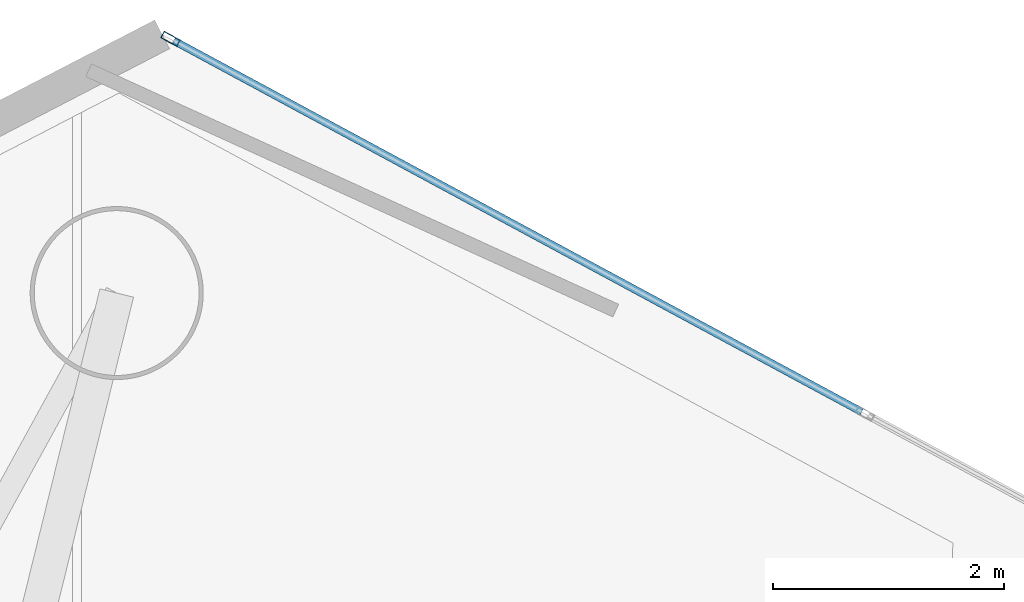
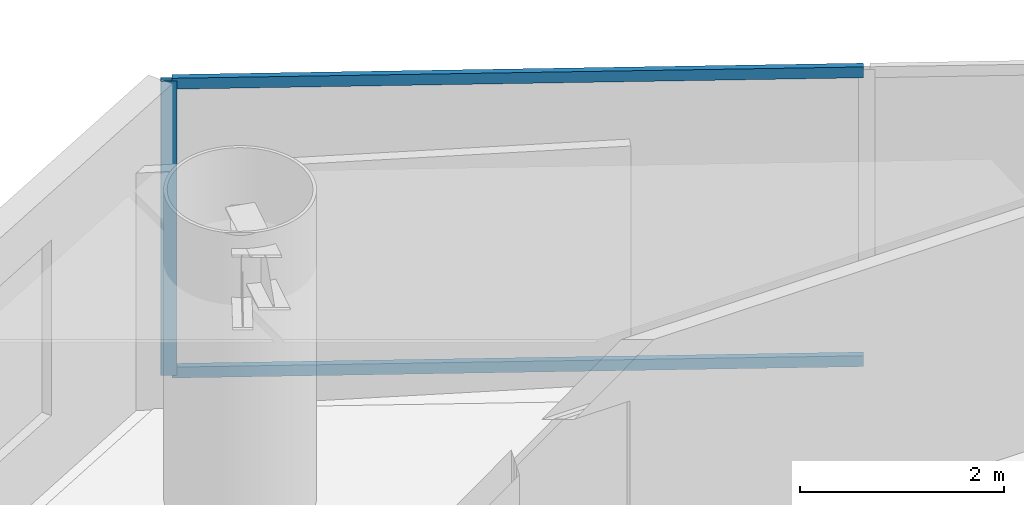
# One storey, part 14 of 21: 3 members, 1 element without a shape of its own.
"""IFC4 building model written with IfcOpenShell, lengths in metres."""

import ifcopenshell
import ifcopenshell.guid

model = None  # the IFC model being written
_history = None  # IfcOwnerHistory: only IFC2X3 demands one
_inside = {}  # id of a spatial element -> (the spatial element, [elements in it])
_under = {}  # id of a project, library or spatial element -> (it, [spatial elements below it])
_declared = {}  # id of a project -> (the project, [libraries it declares])
_typed = {}  # id of a type object -> (the type object, [elements of that type])
_made_of = {}  # id of a material, layer set ... -> (it, [elements and type objects made of it])


def new_model(schema):
    """Start an empty IFC model of exactly this schema.

    Asked for "IFC4X3", IfcOpenShell would pick the latest addendum, in which some entities
    have other attributes; the version numbers below select the first issue.
    IFC2X3 requires an IfcOwnerHistory on every rooted entity: one is made here for all.
    """
    global model, _history
    if schema == "IFC4X3":
        model = ifcopenshell.file(schema_version=(4, 3, 0, 0))
    else:
        model = ifcopenshell.file(schema=schema)
    _inside.clear()
    _under.clear()
    _declared.clear()
    _typed.clear()
    _made_of.clear()
    _history = None
    if model.schema == "IFC2X3":
        org = make("IfcOrganization", Name="unknown")
        user = make(
            "IfcPersonAndOrganization",
            ThePerson=make("IfcPerson", FamilyName="unknown"),
            TheOrganization=org,
        )
        app = make(
            "IfcApplication",
            ApplicationDeveloper=org,
            Version="unknown",
            ApplicationFullName="unknown",
            ApplicationIdentifier="unknown",
        )
        _history = make(
            "IfcOwnerHistory",
            OwningUser=user,
            OwningApplication=app,
            ChangeAction="ADDED",
            CreationDate=0,
        )
    return model


def make(cls, **values):
    """One entity of the class cls with the attributes given. An attribute that is None is left unset."""
    return model.create_entity(
        cls, **{name: value for name, value in values.items() if value is not None}
    )


def rooted(cls, **values):
    """An entity with a GlobalId (a new one), such as an element, a storey or a relation."""
    return make(cls, GlobalId=ifcopenshell.guid.new(), OwnerHistory=_history, **values)


def si_unit(unit_type, name, prefix=None):
    """IfcSIUnit, for example si_unit("LENGTHUNIT", "METRE", prefix="MILLI")."""
    return make("IfcSIUnit", UnitType=unit_type, Prefix=prefix, Name=name)


def assignment(units):
    """IfcUnitAssignment: the units of a project."""
    return None if units is None else make("IfcUnitAssignment", Units=units)


def point(xyz):
    """IfcCartesianPoint."""
    return None if xyz is None else make("IfcCartesianPoint", Coordinates=xyz)


def direction(xyz):
    """IfcDirection."""
    return None if xyz is None else make("IfcDirection", DirectionRatios=xyz)


def frame(location, z_axis=None, x_axis=None):
    """IfcAxis2Placement3D, a coordinate frame: its origin and axes. An axis left out is left unset."""
    return make(
        "IfcAxis2Placement3D",
        Location=point(location),
        Axis=direction(z_axis),
        RefDirection=direction(x_axis),
    )


def frame_2d(location, x_axis=None):
    """IfcAxis2Placement2D, a coordinate frame in the plane: its origin and x axis."""
    return make(
        "IfcAxis2Placement2D", Location=point(location), RefDirection=direction(x_axis)
    )


def origin():
    """The frame at (0, 0, 0) with its axes left unset."""
    return frame((0.0, 0.0, 0.0))


def origin_2d():
    """The frame at (0, 0) in the plane with its x axis left unset."""
    return frame_2d((0.0, 0.0))


def place(relative_to, where):
    """IfcLocalPlacement: puts the frame where relative to a parent placement (None: the world)."""
    return make(
        "IfcLocalPlacement", PlacementRelTo=relative_to, RelativePlacement=where
    )


def context(
    kind, dimensions, precision=None, world=None, true_north=None, identifier=None
):
    """IfcGeometricRepresentationContext, for example the 3D "Model" context."""
    return make(
        "IfcGeometricRepresentationContext",
        ContextIdentifier=identifier,
        ContextType=kind,
        CoordinateSpaceDimension=dimensions,
        Precision=precision,
        WorldCoordinateSystem=world,
        TrueNorth=true_north,
    )


def subcontext(parent, identifier, kind, view, scale=None):
    """IfcGeometricRepresentationSubContext, for example "Body" below "Model"."""
    return make(
        "IfcGeometricRepresentationSubContext",
        ContextIdentifier=identifier,
        ContextType=kind,
        ParentContext=parent,
        TargetScale=scale,
        TargetView=view,
    )


def project(units=None, contexts=None):
    """IfcProject with its units and contexts."""
    return rooted(
        "IfcProject",
        Name="project",
        RepresentationContexts=contexts,
        UnitsInContext=assignment(units),
    )


def spatial(cls, under=None, at=None, **own):
    """A site, building, storey or space (cls), placed at a placement, below another one or the project."""
    s = rooted(cls, ObjectPlacement=at, **own)
    if under is not None:
        _under.setdefault(under.id(), (under, []))[1].append(s)
    return s


def profile(cls, at=None, kind="AREA", **sizes):
    """A parametric profile (cls). Its sizes go by their IFC names, for example OverallWidth=200.0."""
    return make(cls, ProfileType=kind, Position=at, **sizes)


def hollow_rectangle(**sizes):
    """IfcRectangleHollowProfileDef."""
    return profile("IfcRectangleHollowProfileDef", **sizes)


def extrude(swept, where, along, depth):
    """IfcExtrudedAreaSolid: the profile swept, set in the frame where, extruded along a direction by depth."""
    return make(
        "IfcExtrudedAreaSolid",
        SweptArea=swept,
        Position=where,
        ExtrudedDirection=direction(along),
        Depth=depth,
    )


def shape(context_of_items, identifier, shape_type, items):
    """IfcShapeRepresentation: the items that make up one representation, for example the "Body"."""
    return make(
        "IfcShapeRepresentation",
        ContextOfItems=context_of_items,
        RepresentationIdentifier=identifier,
        RepresentationType=shape_type,
        Items=items,
    )


def material(Name=None, Category=None):
    """IfcMaterial."""
    return make("IfcMaterial", Name=Name, Category=Category)


def layer(
    of_material, thickness, ventilated=None, Name=None, Category=None, Priority=None
):
    """IfcMaterialLayer: one layer of a wall or slab, of a material (None: an air gap)."""
    return make(
        "IfcMaterialLayer",
        Material=of_material,
        LayerThickness=thickness,
        IsVentilated=ventilated,
        Name=Name,
        Category=Category,
        Priority=Priority,
    )


def layer_set(layers, Name=None):
    """IfcMaterialLayerSet."""
    return make("IfcMaterialLayerSet", MaterialLayers=layers, LayerSetName=Name)


def material_profile(
    of_material, cross_section, Name=None, Category=None, Priority=None
):
    """IfcMaterialProfile: a cross section and its material."""
    return make(
        "IfcMaterialProfile",
        Name=Name,
        Material=of_material,
        Profile=cross_section,
        Priority=Priority,
        Category=Category,
    )


def profile_set(profiles, Name=None, composite=None):
    """IfcMaterialProfileSet."""
    return make(
        "IfcMaterialProfileSet",
        Name=Name,
        MaterialProfiles=profiles,
        CompositeProfile=composite,
    )


def made_of(thing, what):
    """Note that an element or type object is made of a material, layer set ...; save() writes the relation."""
    if what is not None:
        _made_of.setdefault(what.id(), (what, []))[1].append(thing)
    return thing


def type_object(cls, material=None, **own):
    """A type object (cls), such as IfcWallType, which elements share."""
    return made_of(rooted(cls, **own), material)


def element(
    cls,
    number,
    at=None,
    inside=None,
    cuts=None,
    type_object=None,
    material=None,
    context=None,
    identifier="Body",
    shape_type=None,
    held_by="IfcProductDefinitionShape",
    body=None,
    shapes=None,
    **own,
):
    """One element of the class cls, such as IfcWall. Its Tag is "e" and its number.

    at: its placement. inside: the storey or other place that contains it. cuts: it is an
    opening in that element (IfcRelVoidsElement). A single representation is given by context,
    identifier, shape_type and body (its items); several are given by shapes. held_by: the class
    of the entity that holds the representations. save() writes the other relations.
    """
    e = rooted(cls, Tag="e%d" % number, ObjectPlacement=at, **own)
    if body is not None:
        shapes = [shape(context, identifier, shape_type, body)]
    if shapes is not None:
        e.Representation = make(held_by, Representations=shapes)
    if inside is not None:
        _inside.setdefault(inside.id(), (inside, []))[1].append(e)
    if cuts is not None:
        rooted(
            "IfcRelVoidsElement", RelatingBuildingElement=cuts, RelatedOpeningElement=e
        )
    if type_object is not None:
        _typed.setdefault(type_object.id(), (type_object, []))[1].append(e)
    return made_of(e, material)


def aggregate(whole, parts):
    """IfcRelAggregates: a whole, such as a stair, and the parts it consists of."""
    return rooted("IfcRelAggregates", RelatingObject=whole, RelatedObjects=parts)


def save(model, path):
    """Write the relations noted so far, then the file.

    IfcRelAggregates (storeys below a building ...), IfcRelContainedInSpatialStructure (elements
    in a storey), IfcRelDefinesByType, IfcRelAssociatesMaterial and IfcRelDeclares: one each for
    every whole, place, type object, material and project.
    """
    for whole, parts in _under.values():
        aggregate(whole, parts)
    for where, things in _inside.values():
        rooted(
            "IfcRelContainedInSpatialStructure",
            RelatedElements=things,
            RelatingStructure=where,
        )
    for kind, things in _typed.values():
        rooted("IfcRelDefinesByType", RelatedObjects=things, RelatingType=kind)
    for what, things in _made_of.values():
        rooted("IfcRelAssociatesMaterial", RelatedObjects=things, RelatingMaterial=what)
    for by, libraries in _declared.values():
        rooted("IfcRelDeclares", RelatingContext=by, RelatedDefinitions=libraries)
    model.write(path)


model = new_model("IFC4")

# Units and contexts
model_context = context("Model", 3, precision=1e-05, world=origin(), true_north=direction((0.0, 1.0)))
body_context = subcontext(model_context, "Body", "Model", "MODEL_VIEW")
ifc_project = project(units=[si_unit("LENGTHUNIT", "METRE"), si_unit("AREAUNIT", "SQUARE_METRE"), si_unit("VOLUMEUNIT", "CUBIC_METRE"), si_unit("PLANEANGLEUNIT", "RADIAN"), si_unit("MASSUNIT", "GRAM", prefix="KILO")], contexts=[model_context])

# Site, building, storey
site_placement = place(None, origin())
site = spatial("IfcSite", under=ifc_project, at=site_placement, CompositionType="ELEMENT")
building_placement = place(site_placement, origin())
building = spatial("IfcBuilding", under=site, at=building_placement, Name="Qianvela Tower", CompositionType="ELEMENT")
storey_placement = place(building_placement, frame((0.0, 0.0, 127.39990234375)))
storey = spatial("IfcBuildingStorey", under=building, at=storey_placement, Name="L32", CompositionType="ELEMENT", Elevation=127.39990234375)

# Curtain wall, members
ifc_material_1 = material(Name="Anodised Architectural Aluminium and Low-E Glass", Category="aluminium")
ifc_layer = layer(ifc_material_1, 0.169921875)
ifc_layer_set = layer_set([ifc_layer], Name="Anodised Architectural Aluminium and Low-E Glass")
curtain_wall_type = type_object("IfcCurtainWallType", Name="CW-COLIV-Z34", PredefinedType="USERDEFINED", material=ifc_layer_set)
curtain_wall_placement = place(storey_placement, origin())
curtain_wall = element("IfcCurtainWall", 1, at=curtain_wall_placement, inside=storey, type_object=curtain_wall_type, Name="L32 CW-COLIV-Z34 Curtain Wall 02C", ObjectType="CURTAIN_WALL_SYSTEM", PredefinedType="USERDEFINED")
ifc_material_2 = material(Name="Anodised Architectural Aluminium 6063-T6", Category="aluminium")
ifc_material_profile_1 = material_profile(ifc_material_2, hollow_rectangle(XDim=0.06494140625, YDim=0.159912109375, WallThickness=0.0048828125, at=origin_2d()), Name="ALU-MULL-65x160")
ifc_profile_set_1 = profile_set([ifc_material_profile_1], Name="Anodised Architectural Aluminium 6063-T6")
member_type_1 = type_object("IfcMemberType", Name="CW-COLIV-Z34-MULL", PredefinedType="MULLION", material=ifc_profile_set_1)
member_1_placement = place(storey_placement, frame((31.02978515625, 43.72412109375, 0.0), z_axis=(0.0, 0.0, 1.0), x_axis=(-0.47490576918, -0.880036652873, 0.0)))
member_1 = element("IfcMember", 2, at=member_1_placement, type_object=member_type_1, Name="CW-4 mullion 3", PredefinedType="MULLION", context=body_context, shape_type="SweptSolid", body=[
    extrude(hollow_rectangle(XDim=0.06494140625, YDim=0.159912109375, WallThickness=0.0048828125, at=origin_2d()), origin(), (0.0, 0.0, 1.0), 3.52001953125),
])
ifc_material_3 = material(Name="Anodised Architectural Aluminium 6063-T6", Category="aluminium")
ifc_material_profile_2 = material_profile(ifc_material_3, hollow_rectangle(XDim=0.06494140625, YDim=0.1298828125, WallThickness=0.00439453125, at=origin_2d()), Name="ALU-TRAN-65x130")
ifc_profile_set_2 = profile_set([ifc_material_profile_2], Name="Anodised Architectural Aluminium 6063-T6")
member_type_2 = type_object("IfcMemberType", Name="CW-COLIV-Z34-TRAN", PredefinedType="USERDEFINED", material=ifc_profile_set_2)
member_2_placement = place(storey_placement, frame((37.020263671875, 40.491455078125, 0.03271484375), z_axis=(-0.880037951375, 0.474903362949, 0.0), x_axis=(-0.474903362949, -0.880037951375, 0.0)))
member_2 = element("IfcMember", 3, at=member_2_placement, type_object=member_type_2, Name="CW-4 transom 2.1", ObjectType="TRANSOM", PredefinedType="USERDEFINED", context=body_context, shape_type="SweptSolid", body=[
    extrude(hollow_rectangle(XDim=0.06494140625, YDim=0.1298828125, WallThickness=0.00439453125, at=origin_2d()), origin(), (0.0, 0.0, 1.0), 6.774658203125),
])
member_3_placement = place(storey_placement, frame((37.020263671875, 40.491455078125, 3.487548828125), z_axis=(-0.880037951375, 0.474903362949, 0.0), x_axis=(-0.474903362949, -0.880037951375, 0.0)))
member_3 = element("IfcMember", 4, at=member_3_placement, type_object=member_type_2, Name="CW-4 transom 2.2", ObjectType="TRANSOM", PredefinedType="USERDEFINED", context=body_context, shape_type="SweptSolid", body=[
    extrude(hollow_rectangle(XDim=0.06494140625, YDim=0.1298828125, WallThickness=0.00439453125, at=origin_2d()), origin(), (0.0, 0.0, 1.0), 6.774658203125),
])
aggregate(curtain_wall, [member_1, member_2, member_3])

save(model, "model.ifc")
